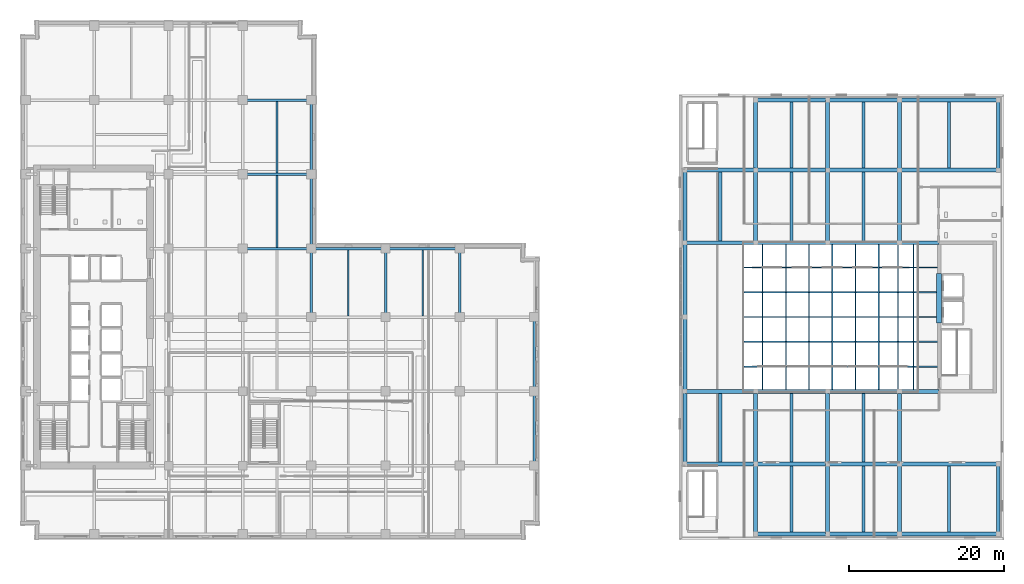
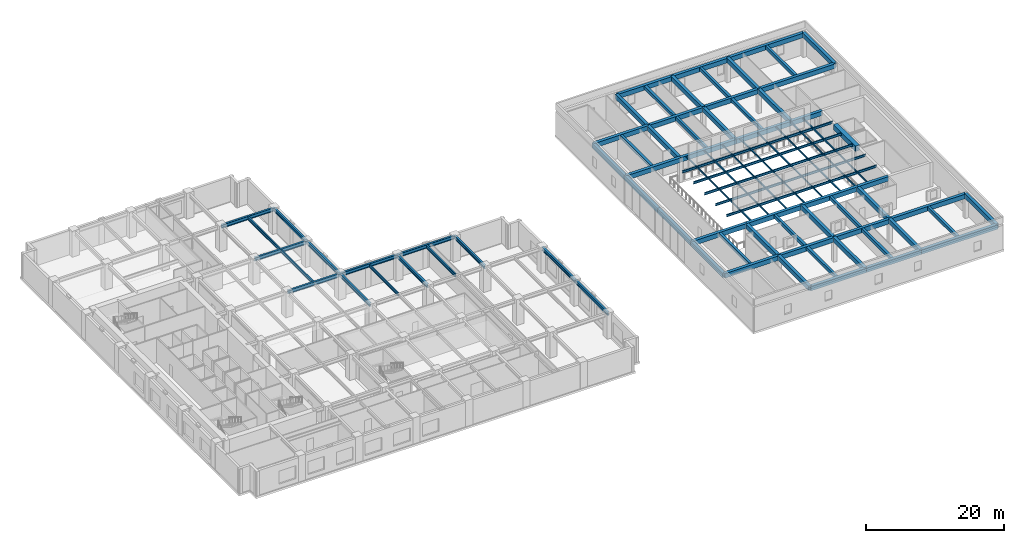
# One storey, part 3 of 21: 74 beams, 8 members.
"""IFC4 building model written with IfcOpenShell, lengths in metres."""

import ifcopenshell
import ifcopenshell.guid

model = None  # the IFC model being written
_history = None  # IfcOwnerHistory: only IFC2X3 demands one
_inside = {}  # id of a spatial element -> (the spatial element, [elements in it])
_under = {}  # id of a project, library or spatial element -> (it, [spatial elements below it])
_declared = {}  # id of a project -> (the project, [libraries it declares])
_typed = {}  # id of a type object -> (the type object, [elements of that type])
_made_of = {}  # id of a material, layer set ... -> (it, [elements and type objects made of it])


def new_model(schema):
    """Start an empty IFC model of exactly this schema.

    Asked for "IFC4X3", IfcOpenShell would pick the latest addendum, in which some entities
    have other attributes; the version numbers below select the first issue.
    IFC2X3 requires an IfcOwnerHistory on every rooted entity: one is made here for all.
    """
    global model, _history
    if schema == "IFC4X3":
        model = ifcopenshell.file(schema_version=(4, 3, 0, 0))
    else:
        model = ifcopenshell.file(schema=schema)
    _inside.clear()
    _under.clear()
    _declared.clear()
    _typed.clear()
    _made_of.clear()
    _history = None
    if model.schema == "IFC2X3":
        org = make("IfcOrganization", Name="unknown")
        user = make(
            "IfcPersonAndOrganization",
            ThePerson=make("IfcPerson", FamilyName="unknown"),
            TheOrganization=org,
        )
        app = make(
            "IfcApplication",
            ApplicationDeveloper=org,
            Version="unknown",
            ApplicationFullName="unknown",
            ApplicationIdentifier="unknown",
        )
        _history = make(
            "IfcOwnerHistory",
            OwningUser=user,
            OwningApplication=app,
            ChangeAction="ADDED",
            CreationDate=0,
        )
    return model


def make(cls, **values):
    """One entity of the class cls with the attributes given. An attribute that is None is left unset."""
    return model.create_entity(
        cls, **{name: value for name, value in values.items() if value is not None}
    )


def rooted(cls, **values):
    """An entity with a GlobalId (a new one), such as an element, a storey or a relation."""
    return make(cls, GlobalId=ifcopenshell.guid.new(), OwnerHistory=_history, **values)


def si_unit(unit_type, name, prefix=None):
    """IfcSIUnit, for example si_unit("LENGTHUNIT", "METRE", prefix="MILLI")."""
    return make("IfcSIUnit", UnitType=unit_type, Prefix=prefix, Name=name)


def assignment(units):
    """IfcUnitAssignment: the units of a project."""
    return None if units is None else make("IfcUnitAssignment", Units=units)


def point(xyz):
    """IfcCartesianPoint."""
    return None if xyz is None else make("IfcCartesianPoint", Coordinates=xyz)


def direction(xyz):
    """IfcDirection."""
    return None if xyz is None else make("IfcDirection", DirectionRatios=xyz)


def frame(location, z_axis=None, x_axis=None):
    """IfcAxis2Placement3D, a coordinate frame: its origin and axes. An axis left out is left unset."""
    return make(
        "IfcAxis2Placement3D",
        Location=point(location),
        Axis=direction(z_axis),
        RefDirection=direction(x_axis),
    )


def frame_2d(location, x_axis=None):
    """IfcAxis2Placement2D, a coordinate frame in the plane: its origin and x axis."""
    return make(
        "IfcAxis2Placement2D", Location=point(location), RefDirection=direction(x_axis)
    )


def origin():
    """The frame at (0, 0, 0) with its axes left unset."""
    return frame((0.0, 0.0, 0.0))


def origin_2d():
    """The frame at (0, 0) in the plane with its x axis left unset."""
    return frame_2d((0.0, 0.0))


def place(relative_to, where):
    """IfcLocalPlacement: puts the frame where relative to a parent placement (None: the world)."""
    return make(
        "IfcLocalPlacement", PlacementRelTo=relative_to, RelativePlacement=where
    )


def context(
    kind, dimensions, precision=None, world=None, true_north=None, identifier=None
):
    """IfcGeometricRepresentationContext, for example the 3D "Model" context."""
    return make(
        "IfcGeometricRepresentationContext",
        ContextIdentifier=identifier,
        ContextType=kind,
        CoordinateSpaceDimension=dimensions,
        Precision=precision,
        WorldCoordinateSystem=world,
        TrueNorth=true_north,
    )


def subcontext(parent, identifier, kind, view, scale=None):
    """IfcGeometricRepresentationSubContext, for example "Body" below "Model"."""
    return make(
        "IfcGeometricRepresentationSubContext",
        ContextIdentifier=identifier,
        ContextType=kind,
        ParentContext=parent,
        TargetScale=scale,
        TargetView=view,
    )


def project(units=None, contexts=None):
    """IfcProject with its units and contexts."""
    return rooted(
        "IfcProject",
        Name="project",
        RepresentationContexts=contexts,
        UnitsInContext=assignment(units),
    )


def spatial(cls, under=None, at=None, **own):
    """A site, building, storey or space (cls), placed at a placement, below another one or the project."""
    s = rooted(cls, ObjectPlacement=at, **own)
    if under is not None:
        _under.setdefault(under.id(), (under, []))[1].append(s)
    return s


def profile(cls, at=None, kind="AREA", **sizes):
    """A parametric profile (cls). Its sizes go by their IFC names, for example OverallWidth=200.0."""
    return make(cls, ProfileType=kind, Position=at, **sizes)


def rectangle(**sizes):
    """IfcRectangleProfileDef."""
    return profile("IfcRectangleProfileDef", **sizes)


def hollow_rectangle(**sizes):
    """IfcRectangleHollowProfileDef."""
    return profile("IfcRectangleHollowProfileDef", **sizes)


def i_section(**sizes):
    """IfcIShapeProfileDef."""
    return profile("IfcIShapeProfileDef", **sizes)


def extrude(swept, where, along, depth):
    """IfcExtrudedAreaSolid: the profile swept, set in the frame where, extruded along a direction by depth."""
    return make(
        "IfcExtrudedAreaSolid",
        SweptArea=swept,
        Position=where,
        ExtrudedDirection=direction(along),
        Depth=depth,
    )


def shape(context_of_items, identifier, shape_type, items):
    """IfcShapeRepresentation: the items that make up one representation, for example the "Body"."""
    return make(
        "IfcShapeRepresentation",
        ContextOfItems=context_of_items,
        RepresentationIdentifier=identifier,
        RepresentationType=shape_type,
        Items=items,
    )


def material(Name=None, Category=None):
    """IfcMaterial."""
    return make("IfcMaterial", Name=Name, Category=Category)


def material_profile(
    of_material, cross_section, Name=None, Category=None, Priority=None
):
    """IfcMaterialProfile: a cross section and its material."""
    return make(
        "IfcMaterialProfile",
        Name=Name,
        Material=of_material,
        Profile=cross_section,
        Priority=Priority,
        Category=Category,
    )


def profile_set(profiles, Name=None, composite=None):
    """IfcMaterialProfileSet."""
    return make(
        "IfcMaterialProfileSet",
        Name=Name,
        MaterialProfiles=profiles,
        CompositeProfile=composite,
    )


def made_of(thing, what):
    """Note that an element or type object is made of a material, layer set ...; save() writes the relation."""
    if what is not None:
        _made_of.setdefault(what.id(), (what, []))[1].append(thing)
    return thing


def type_object(cls, material=None, **own):
    """A type object (cls), such as IfcWallType, which elements share."""
    return made_of(rooted(cls, **own), material)


def element(
    cls,
    number,
    at=None,
    inside=None,
    cuts=None,
    type_object=None,
    material=None,
    context=None,
    identifier="Body",
    shape_type=None,
    held_by="IfcProductDefinitionShape",
    body=None,
    shapes=None,
    **own,
):
    """One element of the class cls, such as IfcWall. Its Tag is "e" and its number.

    at: its placement. inside: the storey or other place that contains it. cuts: it is an
    opening in that element (IfcRelVoidsElement). A single representation is given by context,
    identifier, shape_type and body (its items); several are given by shapes. held_by: the class
    of the entity that holds the representations. save() writes the other relations.
    """
    e = rooted(cls, Tag="e%d" % number, ObjectPlacement=at, **own)
    if body is not None:
        shapes = [shape(context, identifier, shape_type, body)]
    if shapes is not None:
        e.Representation = make(held_by, Representations=shapes)
    if inside is not None:
        _inside.setdefault(inside.id(), (inside, []))[1].append(e)
    if cuts is not None:
        rooted(
            "IfcRelVoidsElement", RelatingBuildingElement=cuts, RelatedOpeningElement=e
        )
    if type_object is not None:
        _typed.setdefault(type_object.id(), (type_object, []))[1].append(e)
    return made_of(e, material)


def aggregate(whole, parts):
    """IfcRelAggregates: a whole, such as a stair, and the parts it consists of."""
    return rooted("IfcRelAggregates", RelatingObject=whole, RelatedObjects=parts)


def save(model, path):
    """Write the relations noted so far, then the file.

    IfcRelAggregates (storeys below a building ...), IfcRelContainedInSpatialStructure (elements
    in a storey), IfcRelDefinesByType, IfcRelAssociatesMaterial and IfcRelDeclares: one each for
    every whole, place, type object, material and project.
    """
    for whole, parts in _under.values():
        aggregate(whole, parts)
    for where, things in _inside.values():
        rooted(
            "IfcRelContainedInSpatialStructure",
            RelatedElements=things,
            RelatingStructure=where,
        )
    for kind, things in _typed.values():
        rooted("IfcRelDefinesByType", RelatedObjects=things, RelatingType=kind)
    for what, things in _made_of.values():
        rooted("IfcRelAssociatesMaterial", RelatedObjects=things, RelatingMaterial=what)
    for by, libraries in _declared.values():
        rooted("IfcRelDeclares", RelatingContext=by, RelatedDefinitions=libraries)
    model.write(path)


model = new_model("IFC4")

# Units and contexts
model_context = context("Model", 3, precision=1e-05, world=origin(), true_north=direction((0.0, 1.0)))
body_context = subcontext(model_context, "Body", "Model", "MODEL_VIEW")
ifc_project = project(units=[si_unit("LENGTHUNIT", "METRE"), si_unit("AREAUNIT", "SQUARE_METRE"), si_unit("VOLUMEUNIT", "CUBIC_METRE"), si_unit("PLANEANGLEUNIT", "RADIAN"), si_unit("MASSUNIT", "GRAM", prefix="KILO")], contexts=[model_context])

# Site, building, storey
site_placement = place(None, origin())
site = spatial("IfcSite", under=ifc_project, at=site_placement, CompositionType="ELEMENT")
building_placement = place(site_placement, origin())
building = spatial("IfcBuilding", under=site, at=building_placement, Name="Norrvale University Quadrangle", CompositionType="ELEMENT")
storey_placement = place(building_placement, frame((0.0, 0.0, 19.60009765625)))
storey = spatial("IfcBuildingStorey", under=building, at=storey_placement, Name="L04", CompositionType="ELEMENT", Elevation=19.60009765625)

# Beams
ifc_material_1 = material(Name="Steel 350W", Category="steel")
ifc_material_profile_1 = material_profile(ifc_material_1, i_section(OverallWidth=0.324951171875, OverallDepth=0.615966796875, WebThickness=0.013916015625, FlangeThickness=0.021484375, FilletRadius=0.01611328125, at=origin_2d()), Name="Steel 350W")
ifc_profile_set_1 = profile_set([ifc_material_profile_1], Name="Steel 350W")
beam_type_1 = type_object("IfcBeamType", Name="Beam Belt W610x174", PredefinedType="BEAM", material=ifc_profile_set_1)
beam_1_placement = place(storey_placement, frame((28.800048828125, 37.64990234375, 4.031982421875), z_axis=(1.0, 0.0, 0.0), x_axis=(0.0, 1.0, 0.0)))
element("IfcBeam", 1, at=beam_1_placement, inside=storey, type_object=beam_type_1, Name="Beam Belt W610x174 BM-L04-GX022", PredefinedType="BEAM", context=body_context, shape_type="SweptSolid", body=[
    extrude(i_section(OverallWidth=0.324951171875, OverallDepth=0.615966796875, WebThickness=0.013916015625, FlangeThickness=0.021484375, FilletRadius=0.01611328125, at=origin_2d()), origin(), (0.0, 0.0, 1.0), 8.849853515625),
])
for number, where, z_axis, x_axis, name in (
    (2, (37.64990234375, 37.64990234375, 4.031982421875), (1.0, 0.0, 0.0), (0.0, 1.0, 0.0), "Beam Belt W610x174 BM-L04-GX023"),
    (3, (47.25, 37.64990234375, 4.031982421875), (1.0, 0.0, 0.0), (0.0, 1.0, 0.0), "Beam Belt W610x174 BM-L04-GX024"),
):
    element("IfcBeam", number, at=place(storey_placement, frame(where, z_axis=z_axis, x_axis=x_axis)), inside=storey, type_object=beam_type_1, Name=name, PredefinedType="BEAM", context=body_context, shape_type="SweptSolid", body=[
        extrude(i_section(OverallWidth=0.324951171875, OverallDepth=0.615966796875, WebThickness=0.013916015625, FlangeThickness=0.021484375, FilletRadius=0.01611328125, at=origin_2d()), origin(), (0.0, 0.0, 1.0), 9.60009765625),
    ])
for number, where, z_axis, x_axis, name in (
    (4, (28.800048828125, 47.25, 4.031982421875), (1.0, 0.0, 0.0), (0.0, 1.0, 0.0), "Beam Belt W610x174 BM-L04-GX026"),
    (5, (28.800048828125, 56.85009765625, 4.031982421875), (1.0, 0.0, 0.0), (0.0, 1.0, 0.0), "Beam Belt W610x174 BM-L04-GX030"),
    (6, (37.64990234375, 28.800048828125, 4.031982421875), (0.0, 1.0, 0.0), (-1.0, 0.0, 0.0), "Beam Belt W610x174 BM-L04-GY056"),
):
    element("IfcBeam", number, at=place(storey_placement, frame(where, z_axis=z_axis, x_axis=x_axis)), inside=storey, type_object=beam_type_1, Name=name, PredefinedType="BEAM", context=body_context, shape_type="SweptSolid", body=[
        extrude(i_section(OverallWidth=0.324951171875, OverallDepth=0.615966796875, WebThickness=0.013916015625, FlangeThickness=0.021484375, FilletRadius=0.01611328125, at=origin_2d()), origin(), (0.0, 0.0, 1.0), 8.849853515625),
    ])
for number, where, z_axis, x_axis, name in (
    (7, (37.64990234375, 37.64990234375, 4.031982421875), (0.0, 1.0, 0.0), (-1.0, 0.0, 0.0), "Beam Belt W610x174 BM-L04-GY057"),
    (8, (37.64990234375, 47.25, 4.031982421875), (0.0, 1.0, 0.0), (-1.0, 0.0, 0.0), "Beam Belt W610x174 BM-L04-GY058"),
):
    element("IfcBeam", number, at=place(storey_placement, frame(where, z_axis=z_axis, x_axis=x_axis)), inside=storey, type_object=beam_type_1, Name=name, PredefinedType="BEAM", context=body_context, shape_type="SweptSolid", body=[
        extrude(i_section(OverallWidth=0.324951171875, OverallDepth=0.615966796875, WebThickness=0.013916015625, FlangeThickness=0.021484375, FilletRadius=0.01611328125, at=origin_2d()), origin(), (0.0, 0.0, 1.0), 9.60009765625),
    ])
for number, where, z_axis, x_axis, name in (
    (9, (47.25, 28.800048828125, 4.031982421875), (0.0, 1.0, 0.0), (-1.0, 0.0, 0.0), "Beam Belt W610x174 BM-L04-GY062"),
    (10, (56.85009765625, 28.800048828125, 4.031982421875), (0.0, 1.0, 0.0), (-1.0, 0.0, 0.0), "Beam Belt W610x174 BM-L04-GY066"),
):
    element("IfcBeam", number, at=place(storey_placement, frame(where, z_axis=z_axis, x_axis=x_axis)), inside=storey, type_object=beam_type_1, Name=name, PredefinedType="BEAM", context=body_context, shape_type="SweptSolid", body=[
        extrude(i_section(OverallWidth=0.324951171875, OverallDepth=0.615966796875, WebThickness=0.013916015625, FlangeThickness=0.021484375, FilletRadius=0.01611328125, at=origin_2d()), origin(), (0.0, 0.0, 1.0), 8.849853515625),
    ])
beam_2_placement = place(storey_placement, frame((66.449951171875, 9.60009765625, 4.031982421875), z_axis=(0.0, 1.0, 0.0), x_axis=(-1.0, 0.0, 0.0)))
element("IfcBeam", 11, at=beam_2_placement, inside=storey, type_object=beam_type_1, Name="Beam Belt W610x174 BM-L04-GY067", PredefinedType="BEAM", context=body_context, shape_type="SweptSolid", body=[
    extrude(i_section(OverallWidth=0.324951171875, OverallDepth=0.615966796875, WebThickness=0.013916015625, FlangeThickness=0.021484375, FilletRadius=0.01611328125, at=origin_2d()), origin(), (0.0, 0.0, 1.0), 9.599853515625),
])
beam_3_placement = place(storey_placement, frame((66.449951171875, 19.199951171875, 4.031982421875), z_axis=(0.0, 1.0, 0.0), x_axis=(-1.0, 0.0, 0.0)))
element("IfcBeam", 12, at=beam_3_placement, inside=storey, type_object=beam_type_1, Name="Beam Belt W610x174 BM-L04-GY068", PredefinedType="BEAM", context=body_context, shape_type="SweptSolid", body=[
    extrude(i_section(OverallWidth=0.324951171875, OverallDepth=0.615966796875, WebThickness=0.013916015625, FlangeThickness=0.021484375, FilletRadius=0.01611328125, at=origin_2d()), origin(), (0.0, 0.0, 1.0), 9.60009765625),
])
ifc_material_2 = material(Name="Concrete C80/95", Category="concrete")
ifc_material_profile_2 = material_profile(ifc_material_2, rectangle(XDim=0.699951171875, YDim=0.949951171875, at=origin_2d()), Name="Concrete C80/95")
ifc_profile_set_2 = profile_set([ifc_material_profile_2], Name="Concrete C80/95")
beam_type_2 = type_object("IfcBeamType", Name="Beam Core Link 700x950", PredefinedType="LINTEL", material=ifc_profile_set_2)
beam_4_placement = place(storey_placement, frame((118.800048828125, 28.0, 3.844970703125), z_axis=(0.0, 1.0, 0.0), x_axis=(-1.0, 0.0, 0.0)))
element("IfcBeam", 13, at=beam_4_placement, inside=storey, type_object=beam_type_2, Name="Library Core Coupling Lintel L04", PredefinedType="LINTEL", context=body_context, shape_type="SweptSolid", body=[
    extrude(rectangle(XDim=0.699951171875, YDim=0.949951171875, at=origin_2d()), origin(), (0.0, 0.0, 1.0), 6.39990234375),
])
ifc_material_profile_3 = material_profile(ifc_material_1, i_section(OverallWidth=0.2119140625, OverallDepth=0.5439453125, WebThickness=0.01318359375, FlangeThickness=0.021240234375, FilletRadius=0.013916015625, at=origin_2d()), Name="Steel 350W")
ifc_profile_set_3 = profile_set([ifc_material_profile_3], Name="Steel 350W")
beam_type_3 = type_object("IfcBeamType", Name="Beam Floor W530x123", PredefinedType="BEAM", material=ifc_profile_set_3)
for number, where, z_axis, x_axis, name in (
    (14, (33.22509765625, 37.8125, 4.06787109375), (0.0, 1.0, 0.0), (-1.0, 0.0, 0.0), "Beam Floor W530x123 BM-L04-J090"),
    (15, (33.22509765625, 47.41259765625, 4.06787109375), (0.0, 1.0, 0.0), (-1.0, 0.0, 0.0), "Beam Floor W530x123 BM-L04-J091"),
):
    element("IfcBeam", number, at=place(storey_placement, frame(where, z_axis=z_axis, x_axis=x_axis)), inside=storey, type_object=beam_type_3, Name=name, PredefinedType="BEAM", context=body_context, shape_type="SweptSolid", body=[
        extrude(i_section(OverallWidth=0.2119140625, OverallDepth=0.5439453125, WebThickness=0.01318359375, FlangeThickness=0.021240234375, FilletRadius=0.013916015625, at=origin_2d()), origin(), (0.0, 0.0, 1.0), 9.27490234375),
    ])
for number, where, z_axis, x_axis, name in (
    (16, (42.449951171875, 28.96240234375, 4.06787109375), (0.0, 1.0, 0.0), (-1.0, 0.0, 0.0), "Beam Floor W530x123 BM-L04-J095"),
    (17, (52.050048828125, 28.96240234375, 4.06787109375), (0.0, 1.0, 0.0), (-1.0, 0.0, 0.0), "Beam Floor W530x123 BM-L04-J099"),
):
    element("IfcBeam", number, at=place(storey_placement, frame(where, z_axis=z_axis, x_axis=x_axis)), inside=storey, type_object=beam_type_3, Name=name, PredefinedType="BEAM", context=body_context, shape_type="SweptSolid", body=[
        extrude(i_section(OverallWidth=0.2119140625, OverallDepth=0.5439453125, WebThickness=0.01318359375, FlangeThickness=0.021240234375, FilletRadius=0.013916015625, at=origin_2d()), origin(), (0.0, 0.0, 1.0), 8.525146484375),
    ])
ifc_material_3 = material(Name="Concrete C60/75", Category="concrete")
ifc_material_profile_4 = material_profile(ifc_material_3, rectangle(XDim=0.39990234375, YDim=0.60009765625, at=origin_2d()), Name="Concrete C60/75")
ifc_profile_set_4 = profile_set([ifc_material_profile_4], Name="Concrete C60/75")
beam_type_4 = type_object("IfcBeamType", Name="Beam Lib 400x600", PredefinedType="JOIST", material=ifc_profile_set_4)
beam_5_placement = place(storey_placement, frame((90.52490234375, 10.050048828125, 4.02001953125), z_axis=(0.0, 1.0, 0.0), x_axis=(-1.0, 0.0, 0.0)))
element("IfcBeam", 18, at=beam_5_placement, inside=storey, type_object=beam_type_4, Name="Beam Lib 400x600 BM-L04-LJ039", PredefinedType="JOIST", context=body_context, shape_type="SweptSolid", body=[
    extrude(rectangle(XDim=0.39990234375, YDim=0.60009765625, at=origin_2d()), origin(), (0.0, 0.0, 1.0), 8.89990234375),
])
beam_6_placement = place(storey_placement, frame((90.52490234375, 38.64990234375, 4.02001953125), z_axis=(0.0, 1.0, 0.0), x_axis=(-1.0, 0.0, 0.0)))
element("IfcBeam", 19, at=beam_6_placement, inside=storey, type_object=beam_type_4, Name="Beam Lib 400x600 BM-L04-LJ040", PredefinedType="JOIST", context=body_context, shape_type="SweptSolid", body=[
    extrude(rectangle(XDim=0.39990234375, YDim=0.60009765625, at=origin_2d()), origin(), (0.0, 0.0, 1.0), 8.900146484375),
])
beam_7_placement = place(storey_placement, frame((99.75, 1.0, 4.02001953125), z_axis=(0.0, 1.0, 0.0), x_axis=(-1.0, 0.0, 0.0)))
element("IfcBeam", 20, at=beam_7_placement, inside=storey, type_object=beam_type_4, Name="Beam Lib 400x600 BM-L04-LJ041", PredefinedType="JOIST", context=body_context, shape_type="SweptSolid", body=[
    extrude(rectangle(XDim=0.39990234375, YDim=0.60009765625, at=origin_2d()), origin(), (0.0, 0.0, 1.0), 8.550048828125),
])
beam_8_placement = place(storey_placement, frame((99.75, 10.050048828125, 4.02001953125), z_axis=(0.0, 1.0, 0.0), x_axis=(-1.0, 0.0, 0.0)))
element("IfcBeam", 21, at=beam_8_placement, inside=storey, type_object=beam_type_4, Name="Beam Lib 400x600 BM-L04-LJ042", PredefinedType="JOIST", context=body_context, shape_type="SweptSolid", body=[
    extrude(rectangle(XDim=0.39990234375, YDim=0.60009765625, at=origin_2d()), origin(), (0.0, 0.0, 1.0), 8.89990234375),
])
beam_9_placement = place(storey_placement, frame((99.75, 38.64990234375, 4.02001953125), z_axis=(0.0, 1.0, 0.0), x_axis=(-1.0, 0.0, 0.0)))
element("IfcBeam", 22, at=beam_9_placement, inside=storey, type_object=beam_type_4, Name="Beam Lib 400x600 BM-L04-LJ043", PredefinedType="JOIST", context=body_context, shape_type="SweptSolid", body=[
    extrude(rectangle(XDim=0.39990234375, YDim=0.60009765625, at=origin_2d()), origin(), (0.0, 0.0, 1.0), 8.900146484375),
])
for number, where, z_axis, x_axis, name in (
    (23, (99.75, 48.050048828125, 4.02001953125), (0.0, 1.0, 0.0), (-1.0, 0.0, 0.0), "Beam Lib 400x600 BM-L04-LJ044"),
    (24, (109.050048828125, 1.0, 4.02001953125), (0.0, 1.0, 0.0), (-1.0, 0.0, 0.0), "Beam Lib 400x600 BM-L04-LJ045"),
):
    element("IfcBeam", number, at=place(storey_placement, frame(where, z_axis=z_axis, x_axis=x_axis)), inside=storey, type_object=beam_type_4, Name=name, PredefinedType="JOIST", context=body_context, shape_type="SweptSolid", body=[
        extrude(rectangle(XDim=0.39990234375, YDim=0.60009765625, at=origin_2d()), origin(), (0.0, 0.0, 1.0), 8.550048828125),
    ])
beam_10_placement = place(storey_placement, frame((109.050048828125, 10.050048828125, 4.02001953125), z_axis=(0.0, 1.0, 0.0), x_axis=(-1.0, 0.0, 0.0)))
element("IfcBeam", 25, at=beam_10_placement, inside=storey, type_object=beam_type_4, Name="Beam Lib 400x600 BM-L04-LJ046", PredefinedType="JOIST", context=body_context, shape_type="SweptSolid", body=[
    extrude(rectangle(XDim=0.39990234375, YDim=0.60009765625, at=origin_2d()), origin(), (0.0, 0.0, 1.0), 8.89990234375),
])
beam_11_placement = place(storey_placement, frame((109.050048828125, 38.64990234375, 4.02001953125), z_axis=(0.0, 1.0, 0.0), x_axis=(-1.0, 0.0, 0.0)))
element("IfcBeam", 26, at=beam_11_placement, inside=storey, type_object=beam_type_4, Name="Beam Lib 400x600 BM-L04-LJ047", PredefinedType="JOIST", context=body_context, shape_type="SweptSolid", body=[
    extrude(rectangle(XDim=0.39990234375, YDim=0.60009765625, at=origin_2d()), origin(), (0.0, 0.0, 1.0), 8.900146484375),
])
for number, where, z_axis, x_axis, name in (
    (27, (109.050048828125, 48.050048828125, 4.02001953125), (0.0, 1.0, 0.0), (-1.0, 0.0, 0.0), "Beam Lib 400x600 BM-L04-LJ048"),
    (28, (120.074951171875, 1.0, 4.02001953125), (0.0, 1.0, 0.0), (-1.0, 0.0, 0.0), "Beam Lib 400x600 BM-L04-LJ049"),
    (29, (120.074951171875, 48.050048828125, 4.02001953125), (0.0, 1.0, 0.0), (-1.0, 0.0, 0.0), "Beam Lib 400x600 BM-L04-LJ050"),
):
    element("IfcBeam", number, at=place(storey_placement, frame(where, z_axis=z_axis, x_axis=x_axis)), inside=storey, type_object=beam_type_4, Name=name, PredefinedType="JOIST", context=body_context, shape_type="SweptSolid", body=[
        extrude(rectangle(XDim=0.39990234375, YDim=0.60009765625, at=origin_2d()), origin(), (0.0, 0.0, 1.0), 8.550048828125),
    ])
ifc_material_profile_5 = material_profile(ifc_material_3, rectangle(XDim=0.5, YDim=0.800048828125, at=origin_2d()), Name="Concrete C60/75")
ifc_profile_set_5 = profile_set([ifc_material_profile_5], Name="Concrete C60/75")
beam_type_5 = type_object("IfcBeamType", Name="Beam Lib 500x800", PredefinedType="BEAM", material=ifc_profile_set_5)
beam_12_placement = place(storey_placement, frame((95.10009765625, 0.75, 3.919921875), z_axis=(1.0, 0.0, 0.0), x_axis=(0.0, 1.0, 0.0)))
element("IfcBeam", 30, at=beam_12_placement, inside=storey, type_object=beam_type_5, Name="Beam Lib 500x800 BM-L04-LGX001", PredefinedType="BEAM", context=body_context, shape_type="SweptSolid", body=[
    extrude(rectangle(XDim=0.5, YDim=0.800048828125, at=origin_2d()), origin(), (0.0, 0.0, 1.0), 9.2998046875),
])
beam_13_placement = place(storey_placement, frame((104.39990234375, 0.75, 3.919921875), z_axis=(1.0, 0.0, 0.0), x_axis=(0.0, 1.0, 0.0)))
element("IfcBeam", 31, at=beam_13_placement, inside=storey, type_object=beam_type_5, Name="Beam Lib 500x800 BM-L04-LGX002", PredefinedType="BEAM", context=body_context, shape_type="SweptSolid", body=[
    extrude(rectangle(XDim=0.5, YDim=0.800048828125, at=origin_2d()), origin(), (0.0, 0.0, 1.0), 9.300048828125),
])
beam_14_placement = place(storey_placement, frame((113.699951171875, 0.75, 3.919921875), z_axis=(1.0, 0.0, 0.0), x_axis=(0.0, 1.0, 0.0)))
element("IfcBeam", 32, at=beam_14_placement, inside=storey, type_object=beam_type_5, Name="Beam Lib 500x800 BM-L04-LGX003", PredefinedType="BEAM", context=body_context, shape_type="SweptSolid", body=[
    extrude(rectangle(XDim=0.5, YDim=0.800048828125, at=origin_2d()), origin(), (0.0, 0.0, 1.0), 12.75),
])
beam_15_placement = place(storey_placement, frame((85.949951171875, 9.800048828125, 3.919921875), z_axis=(1.0, 0.0, 0.0), x_axis=(0.0, 1.0, 0.0)))
element("IfcBeam", 33, at=beam_15_placement, inside=storey, type_object=beam_type_5, Name="Beam Lib 500x800 BM-L04-LGX004", PredefinedType="BEAM", context=body_context, shape_type="SweptSolid", body=[
    extrude(rectangle(XDim=0.5, YDim=0.800048828125, at=origin_2d()), origin(), (0.0, 0.0, 1.0), 9.150146484375),
])
beam_16_placement = place(storey_placement, frame((95.10009765625, 9.800048828125, 3.919921875), z_axis=(1.0, 0.0, 0.0), x_axis=(0.0, 1.0, 0.0)))
element("IfcBeam", 34, at=beam_16_placement, inside=storey, type_object=beam_type_5, Name="Beam Lib 500x800 BM-L04-LGX005", PredefinedType="BEAM", context=body_context, shape_type="SweptSolid", body=[
    extrude(rectangle(XDim=0.5, YDim=0.800048828125, at=origin_2d()), origin(), (0.0, 0.0, 1.0), 9.2998046875),
])
beam_17_placement = place(storey_placement, frame((104.39990234375, 9.800048828125, 3.919921875), z_axis=(1.0, 0.0, 0.0), x_axis=(0.0, 1.0, 0.0)))
element("IfcBeam", 35, at=beam_17_placement, inside=storey, type_object=beam_type_5, Name="Beam Lib 500x800 BM-L04-LGX006", PredefinedType="BEAM", context=body_context, shape_type="SweptSolid", body=[
    extrude(rectangle(XDim=0.5, YDim=0.800048828125, at=origin_2d()), origin(), (0.0, 0.0, 1.0), 9.300048828125),
])
beam_18_placement = place(storey_placement, frame((113.699951171875, 9.800048828125, 3.919921875), z_axis=(1.0, 0.0, 0.0), x_axis=(0.0, 1.0, 0.0)))
element("IfcBeam", 36, at=beam_18_placement, inside=storey, type_object=beam_type_5, Name="Beam Lib 500x800 BM-L04-LGX007", PredefinedType="BEAM", context=body_context, shape_type="SweptSolid", body=[
    extrude(rectangle(XDim=0.5, YDim=0.800048828125, at=origin_2d()), origin(), (0.0, 0.0, 1.0), 12.75),
])
beam_19_placement = place(storey_placement, frame((85.949951171875, 19.199951171875, 3.919921875), z_axis=(1.0, 0.0, 0.0), x_axis=(0.0, 1.0, 0.0)))
element("IfcBeam", 37, at=beam_19_placement, inside=storey, type_object=beam_type_5, Name="Beam Lib 500x800 BM-L04-LGX008", PredefinedType="BEAM", context=body_context, shape_type="SweptSolid", body=[
    extrude(rectangle(XDim=0.5, YDim=0.800048828125, at=origin_2d()), origin(), (0.0, 0.0, 1.0), 9.150146484375),
])
beam_20_placement = place(storey_placement, frame((95.10009765625, 19.199951171875, 3.919921875), z_axis=(1.0, 0.0, 0.0), x_axis=(0.0, 1.0, 0.0)))
element("IfcBeam", 38, at=beam_20_placement, inside=storey, type_object=beam_type_5, Name="Beam Lib 500x800 BM-L04-LGX009", PredefinedType="BEAM", context=body_context, shape_type="SweptSolid", body=[
    extrude(rectangle(XDim=0.5, YDim=0.800048828125, at=origin_2d()), origin(), (0.0, 0.0, 1.0), 9.2998046875),
])
beam_21_placement = place(storey_placement, frame((104.39990234375, 19.199951171875, 3.919921875), z_axis=(1.0, 0.0, 0.0), x_axis=(0.0, 1.0, 0.0)))
element("IfcBeam", 39, at=beam_21_placement, inside=storey, type_object=beam_type_5, Name="Beam Lib 500x800 BM-L04-LGX010", PredefinedType="BEAM", context=body_context, shape_type="SweptSolid", body=[
    extrude(rectangle(XDim=0.5, YDim=0.800048828125, at=origin_2d()), origin(), (0.0, 0.0, 1.0), 9.300048828125),
])
beam_22_placement = place(storey_placement, frame((85.949951171875, 38.39990234375, 3.919921875), z_axis=(1.0, 0.0, 0.0), x_axis=(0.0, 1.0, 0.0)))
element("IfcBeam", 40, at=beam_22_placement, inside=storey, type_object=beam_type_5, Name="Beam Lib 500x800 BM-L04-LGX011", PredefinedType="BEAM", context=body_context, shape_type="SweptSolid", body=[
    extrude(rectangle(XDim=0.5, YDim=0.800048828125, at=origin_2d()), origin(), (0.0, 0.0, 1.0), 9.150146484375),
])
beam_23_placement = place(storey_placement, frame((95.10009765625, 38.39990234375, 3.919921875), z_axis=(1.0, 0.0, 0.0), x_axis=(0.0, 1.0, 0.0)))
element("IfcBeam", 41, at=beam_23_placement, inside=storey, type_object=beam_type_5, Name="Beam Lib 500x800 BM-L04-LGX012", PredefinedType="BEAM", context=body_context, shape_type="SweptSolid", body=[
    extrude(rectangle(XDim=0.5, YDim=0.800048828125, at=origin_2d()), origin(), (0.0, 0.0, 1.0), 9.2998046875),
])
beam_24_placement = place(storey_placement, frame((104.39990234375, 38.39990234375, 3.919921875), z_axis=(1.0, 0.0, 0.0), x_axis=(0.0, 1.0, 0.0)))
element("IfcBeam", 42, at=beam_24_placement, inside=storey, type_object=beam_type_5, Name="Beam Lib 500x800 BM-L04-LGX013", PredefinedType="BEAM", context=body_context, shape_type="SweptSolid", body=[
    extrude(rectangle(XDim=0.5, YDim=0.800048828125, at=origin_2d()), origin(), (0.0, 0.0, 1.0), 9.300048828125),
])
beam_25_placement = place(storey_placement, frame((85.949951171875, 47.800048828125, 3.919921875), z_axis=(1.0, 0.0, 0.0), x_axis=(0.0, 1.0, 0.0)))
element("IfcBeam", 43, at=beam_25_placement, inside=storey, type_object=beam_type_5, Name="Beam Lib 500x800 BM-L04-LGX014", PredefinedType="BEAM", context=body_context, shape_type="SweptSolid", body=[
    extrude(rectangle(XDim=0.5, YDim=0.800048828125, at=origin_2d()), origin(), (0.0, 0.0, 1.0), 9.150146484375),
])
beam_26_placement = place(storey_placement, frame((95.10009765625, 47.800048828125, 3.919921875), z_axis=(1.0, 0.0, 0.0), x_axis=(0.0, 1.0, 0.0)))
element("IfcBeam", 44, at=beam_26_placement, inside=storey, type_object=beam_type_5, Name="Beam Lib 500x800 BM-L04-LGX015", PredefinedType="BEAM", context=body_context, shape_type="SweptSolid", body=[
    extrude(rectangle(XDim=0.5, YDim=0.800048828125, at=origin_2d()), origin(), (0.0, 0.0, 1.0), 9.2998046875),
])
beam_27_placement = place(storey_placement, frame((104.39990234375, 47.800048828125, 3.919921875), z_axis=(1.0, 0.0, 0.0), x_axis=(0.0, 1.0, 0.0)))
element("IfcBeam", 45, at=beam_27_placement, inside=storey, type_object=beam_type_5, Name="Beam Lib 500x800 BM-L04-LGX016", PredefinedType="BEAM", context=body_context, shape_type="SweptSolid", body=[
    extrude(rectangle(XDim=0.5, YDim=0.800048828125, at=origin_2d()), origin(), (0.0, 0.0, 1.0), 9.300048828125),
])
beam_28_placement = place(storey_placement, frame((113.699951171875, 47.800048828125, 3.919921875), z_axis=(1.0, 0.0, 0.0), x_axis=(0.0, 1.0, 0.0)))
element("IfcBeam", 46, at=beam_28_placement, inside=storey, type_object=beam_type_5, Name="Beam Lib 500x800 BM-L04-LGX017", PredefinedType="BEAM", context=body_context, shape_type="SweptSolid", body=[
    extrude(rectangle(XDim=0.5, YDim=0.800048828125, at=origin_2d()), origin(), (0.0, 0.0, 1.0), 12.75),
])
beam_29_placement = place(storey_placement, frame((95.10009765625, 56.85009765625, 3.919921875), z_axis=(1.0, 0.0, 0.0), x_axis=(0.0, 1.0, 0.0)))
element("IfcBeam", 47, at=beam_29_placement, inside=storey, type_object=beam_type_5, Name="Beam Lib 500x800 BM-L04-LGX018", PredefinedType="BEAM", context=body_context, shape_type="SweptSolid", body=[
    extrude(rectangle(XDim=0.5, YDim=0.800048828125, at=origin_2d()), origin(), (0.0, 0.0, 1.0), 9.2998046875),
])
beam_30_placement = place(storey_placement, frame((104.39990234375, 56.85009765625, 3.919921875), z_axis=(1.0, 0.0, 0.0), x_axis=(0.0, 1.0, 0.0)))
element("IfcBeam", 48, at=beam_30_placement, inside=storey, type_object=beam_type_5, Name="Beam Lib 500x800 BM-L04-LGX019", PredefinedType="BEAM", context=body_context, shape_type="SweptSolid", body=[
    extrude(rectangle(XDim=0.5, YDim=0.800048828125, at=origin_2d()), origin(), (0.0, 0.0, 1.0), 9.300048828125),
])
beam_31_placement = place(storey_placement, frame((113.699951171875, 56.85009765625, 3.919921875), z_axis=(1.0, 0.0, 0.0), x_axis=(0.0, 1.0, 0.0)))
element("IfcBeam", 49, at=beam_31_placement, inside=storey, type_object=beam_type_5, Name="Beam Lib 500x800 BM-L04-LGX020", PredefinedType="BEAM", context=body_context, shape_type="SweptSolid", body=[
    extrude(rectangle(XDim=0.5, YDim=0.800048828125, at=origin_2d()), origin(), (0.0, 0.0, 1.0), 12.75),
])
beam_32_placement = place(storey_placement, frame((85.949951171875, 9.800048828125, 3.919921875), z_axis=(0.0, 1.0, 0.0), x_axis=(-1.0, 0.0, 0.0)))
element("IfcBeam", 50, at=beam_32_placement, inside=storey, type_object=beam_type_5, Name="Beam Lib 500x800 BM-L04-LGY021", PredefinedType="BEAM", context=body_context, shape_type="SweptSolid", body=[
    extrude(rectangle(XDim=0.5, YDim=0.800048828125, at=origin_2d()), origin(), (0.0, 0.0, 1.0), 9.39990234375),
])
beam_33_placement = place(storey_placement, frame((85.949951171875, 19.199951171875, 3.919921875), z_axis=(0.0, 1.0, 0.0), x_axis=(-1.0, 0.0, 0.0)))
element("IfcBeam", 51, at=beam_33_placement, inside=storey, type_object=beam_type_5, Name="Beam Lib 500x800 BM-L04-LGY022", PredefinedType="BEAM", context=body_context, shape_type="SweptSolid", body=[
    extrude(rectangle(XDim=0.5, YDim=0.800048828125, at=origin_2d()), origin(), (0.0, 0.0, 1.0), 9.60009765625),
])
beam_34_placement = place(storey_placement, frame((85.949951171875, 28.800048828125, 3.919921875), z_axis=(0.0, 1.0, 0.0), x_axis=(-1.0, 0.0, 0.0)))
element("IfcBeam", 52, at=beam_34_placement, inside=storey, type_object=beam_type_5, Name="Beam Lib 500x800 BM-L04-LGY023", PredefinedType="BEAM", context=body_context, shape_type="SweptSolid", body=[
    extrude(rectangle(XDim=0.5, YDim=0.800048828125, at=origin_2d()), origin(), (0.0, 0.0, 1.0), 9.599853515625),
])
beam_35_placement = place(storey_placement, frame((85.949951171875, 38.39990234375, 3.919921875), z_axis=(0.0, 1.0, 0.0), x_axis=(-1.0, 0.0, 0.0)))
element("IfcBeam", 53, at=beam_35_placement, inside=storey, type_object=beam_type_5, Name="Beam Lib 500x800 BM-L04-LGY024", PredefinedType="BEAM", context=body_context, shape_type="SweptSolid", body=[
    extrude(rectangle(XDim=0.5, YDim=0.800048828125, at=origin_2d()), origin(), (0.0, 0.0, 1.0), 9.400146484375),
])
beam_36_placement = place(storey_placement, frame((95.10009765625, 0.75, 3.919921875), z_axis=(0.0, 1.0, 0.0), x_axis=(-1.0, 0.0, 0.0)))
element("IfcBeam", 54, at=beam_36_placement, inside=storey, type_object=beam_type_5, Name="Beam Lib 500x800 BM-L04-LGY025", PredefinedType="BEAM", context=body_context, shape_type="SweptSolid", body=[
    extrude(rectangle(XDim=0.5, YDim=0.800048828125, at=origin_2d()), origin(), (0.0, 0.0, 1.0), 9.050048828125),
])
beam_37_placement = place(storey_placement, frame((95.10009765625, 9.800048828125, 3.919921875), z_axis=(0.0, 1.0, 0.0), x_axis=(-1.0, 0.0, 0.0)))
element("IfcBeam", 55, at=beam_37_placement, inside=storey, type_object=beam_type_5, Name="Beam Lib 500x800 BM-L04-LGY026", PredefinedType="BEAM", context=body_context, shape_type="SweptSolid", body=[
    extrude(rectangle(XDim=0.5, YDim=0.800048828125, at=origin_2d()), origin(), (0.0, 0.0, 1.0), 9.39990234375),
])
beam_38_placement = place(storey_placement, frame((95.10009765625, 38.39990234375, 3.919921875), z_axis=(0.0, 1.0, 0.0), x_axis=(-1.0, 0.0, 0.0)))
element("IfcBeam", 56, at=beam_38_placement, inside=storey, type_object=beam_type_5, Name="Beam Lib 500x800 BM-L04-LGY027", PredefinedType="BEAM", context=body_context, shape_type="SweptSolid", body=[
    extrude(rectangle(XDim=0.5, YDim=0.800048828125, at=origin_2d()), origin(), (0.0, 0.0, 1.0), 9.400146484375),
])
for number, where, z_axis, x_axis, name in (
    (57, (95.10009765625, 47.800048828125, 3.919921875), (0.0, 1.0, 0.0), (-1.0, 0.0, 0.0), "Beam Lib 500x800 BM-L04-LGY028"),
    (58, (104.39990234375, 0.75, 3.919921875), (0.0, 1.0, 0.0), (-1.0, 0.0, 0.0), "Beam Lib 500x800 BM-L04-LGY029"),
):
    element("IfcBeam", number, at=place(storey_placement, frame(where, z_axis=z_axis, x_axis=x_axis)), inside=storey, type_object=beam_type_5, Name=name, PredefinedType="BEAM", context=body_context, shape_type="SweptSolid", body=[
        extrude(rectangle(XDim=0.5, YDim=0.800048828125, at=origin_2d()), origin(), (0.0, 0.0, 1.0), 9.050048828125),
    ])
beam_39_placement = place(storey_placement, frame((104.39990234375, 9.800048828125, 3.919921875), z_axis=(0.0, 1.0, 0.0), x_axis=(-1.0, 0.0, 0.0)))
element("IfcBeam", 59, at=beam_39_placement, inside=storey, type_object=beam_type_5, Name="Beam Lib 500x800 BM-L04-LGY030", PredefinedType="BEAM", context=body_context, shape_type="SweptSolid", body=[
    extrude(rectangle(XDim=0.5, YDim=0.800048828125, at=origin_2d()), origin(), (0.0, 0.0, 1.0), 9.39990234375),
])
beam_40_placement = place(storey_placement, frame((104.39990234375, 38.39990234375, 3.919921875), z_axis=(0.0, 1.0, 0.0), x_axis=(-1.0, 0.0, 0.0)))
element("IfcBeam", 60, at=beam_40_placement, inside=storey, type_object=beam_type_5, Name="Beam Lib 500x800 BM-L04-LGY031", PredefinedType="BEAM", context=body_context, shape_type="SweptSolid", body=[
    extrude(rectangle(XDim=0.5, YDim=0.800048828125, at=origin_2d()), origin(), (0.0, 0.0, 1.0), 9.400146484375),
])
for number, where, z_axis, x_axis, name in (
    (61, (104.39990234375, 47.800048828125, 3.919921875), (0.0, 1.0, 0.0), (-1.0, 0.0, 0.0), "Beam Lib 500x800 BM-L04-LGY032"),
    (62, (113.699951171875, 0.75, 3.919921875), (0.0, 1.0, 0.0), (-1.0, 0.0, 0.0), "Beam Lib 500x800 BM-L04-LGY033"),
):
    element("IfcBeam", number, at=place(storey_placement, frame(where, z_axis=z_axis, x_axis=x_axis)), inside=storey, type_object=beam_type_5, Name=name, PredefinedType="BEAM", context=body_context, shape_type="SweptSolid", body=[
        extrude(rectangle(XDim=0.5, YDim=0.800048828125, at=origin_2d()), origin(), (0.0, 0.0, 1.0), 9.050048828125),
    ])
beam_41_placement = place(storey_placement, frame((113.699951171875, 9.800048828125, 3.919921875), z_axis=(0.0, 1.0, 0.0), x_axis=(-1.0, 0.0, 0.0)))
element("IfcBeam", 63, at=beam_41_placement, inside=storey, type_object=beam_type_5, Name="Beam Lib 500x800 BM-L04-LGY034", PredefinedType="BEAM", context=body_context, shape_type="SweptSolid", body=[
    extrude(rectangle(XDim=0.5, YDim=0.800048828125, at=origin_2d()), origin(), (0.0, 0.0, 1.0), 9.39990234375),
])
beam_42_placement = place(storey_placement, frame((113.699951171875, 38.39990234375, 3.919921875), z_axis=(0.0, 1.0, 0.0), x_axis=(-1.0, 0.0, 0.0)))
element("IfcBeam", 64, at=beam_42_placement, inside=storey, type_object=beam_type_5, Name="Beam Lib 500x800 BM-L04-LGY035", PredefinedType="BEAM", context=body_context, shape_type="SweptSolid", body=[
    extrude(rectangle(XDim=0.5, YDim=0.800048828125, at=origin_2d()), origin(), (0.0, 0.0, 1.0), 9.400146484375),
])
for number, where, z_axis, x_axis, name in (
    (65, (113.699951171875, 47.800048828125, 3.919921875), (0.0, 1.0, 0.0), (-1.0, 0.0, 0.0), "Beam Lib 500x800 BM-L04-LGY036"),
    (66, (126.449951171875, 0.75, 3.919921875), (0.0, 1.0, 0.0), (-1.0, 0.0, 0.0), "Beam Lib 500x800 BM-L04-LGY037"),
    (67, (126.449951171875, 47.800048828125, 3.919921875), (0.0, 1.0, 0.0), (-1.0, 0.0, 0.0), "Beam Lib 500x800 BM-L04-LGY038"),
):
    element("IfcBeam", number, at=place(storey_placement, frame(where, z_axis=z_axis, x_axis=x_axis)), inside=storey, type_object=beam_type_5, Name=name, PredefinedType="BEAM", context=body_context, shape_type="SweptSolid", body=[
        extrude(rectangle(XDim=0.5, YDim=0.800048828125, at=origin_2d()), origin(), (0.0, 0.0, 1.0), 9.050048828125),
    ])
for number, where, z_axis, x_axis, name in (
    (68, (113.699951171875, 19.199951171875, 3.919921875), (1.0, 0.0, 0.0), (0.0, 1.0, 0.0), "Beam Lib 500x800 BM-L04-LCTIE051"),
    (69, (113.699951171875, 38.39990234375, 3.919921875), (1.0, 0.0, 0.0), (0.0, 1.0, 0.0), "Beam Lib 500x800 BM-L04-LCTIE052"),
):
    element("IfcBeam", number, at=place(storey_placement, frame(where, z_axis=z_axis, x_axis=x_axis)), inside=storey, type_object=beam_type_5, Name=name, PredefinedType="BEAM", context=body_context, shape_type="SweptSolid", body=[
        extrude(rectangle(XDim=0.5, YDim=0.800048828125, at=origin_2d()), origin(), (0.0, 0.0, 1.0), 5.10009765625),
    ])
ifc_material_profile_6 = material_profile(ifc_material_1, i_section(OverallWidth=0.177978515625, OverallDepth=0.406982421875, WebThickness=0.0078125, FlangeThickness=0.0126953125, FilletRadius=0.011962890625, at=origin_2d()), Name="Steel 350W")
ifc_profile_set_6 = profile_set([ifc_material_profile_6], Name="Steel 350W")
beam_type_6 = type_object("IfcBeamType", Name="Beam Roof Purlin W410x60", PredefinedType="USERDEFINED", material=ifc_profile_set_6)
for number, where, z_axis, x_axis, name in (
    (70, (93.60009765625, 22.39990234375, 4.116455078125), (1.0, 0.0, 0.0), (0.0, 1.0, 0.0), "Library Skylight Purlin 01"),
    (71, (93.60009765625, 25.60009765625, 4.116455078125), (1.0, 0.0, 0.0), (0.0, 1.0, 0.0), "Library Skylight Purlin 02"),
    (72, (93.60009765625, 28.800048828125, 4.116455078125), (1.0, 0.0, 0.0), (0.0, 1.0, 0.0), "Library Skylight Purlin 03"),
    (73, (93.60009765625, 32.0, 4.116455078125), (1.0, 0.0, 0.0), (0.0, 1.0, 0.0), "Library Skylight Purlin 04"),
    (74, (93.60009765625, 35.199951171875, 4.116455078125), (1.0, 0.0, 0.0), (0.0, 1.0, 0.0), "Library Skylight Purlin 05"),
):
    element("IfcBeam", number, at=place(storey_placement, frame(where, z_axis=z_axis, x_axis=x_axis)), inside=storey, type_object=beam_type_6, Name=name, ObjectType="PURLIN", PredefinedType="USERDEFINED", context=body_context, shape_type="SweptSolid", body=[
        extrude(i_section(OverallWidth=0.177978515625, OverallDepth=0.406982421875, WebThickness=0.0078125, FlangeThickness=0.0126953125, FilletRadius=0.011962890625, at=origin_2d()), origin(), (0.0, 0.0, 1.0), 25.199951171875),
    ])

# Members
ifc_material_profile_7 = material_profile(ifc_material_1, hollow_rectangle(XDim=0.152099609375, YDim=0.25390625, WallThickness=0.010009765625, at=origin_2d()), Name="Steel 350W")
ifc_profile_set_7 = profile_set([ifc_material_profile_7], Name="Steel 350W")
member_type = type_object("IfcMemberType", Name="Member Rafter HSS254x152", PredefinedType="RAFTER", material=ifc_profile_set_7)
for number, where, z_axis, x_axis, name in (
    (75, (96.0, 19.199951171875, 4.18994140625), (0.0, 1.0, 0.0), (-1.0, 0.0, 0.0), "Library Skylight Rafter 01"),
    (76, (99.0, 19.199951171875, 4.18994140625), (0.0, 1.0, 0.0), (-1.0, 0.0, 0.0), "Library Skylight Rafter 02"),
    (77, (102.0, 19.199951171875, 4.18994140625), (0.0, 1.0, 0.0), (-1.0, 0.0, 0.0), "Library Skylight Rafter 03"),
    (78, (105.0, 19.199951171875, 4.18994140625), (0.0, 1.0, 0.0), (-1.0, 0.0, 0.0), "Library Skylight Rafter 04"),
    (79, (108.0, 19.199951171875, 4.18994140625), (0.0, 1.0, 0.0), (-1.0, 0.0, 0.0), "Library Skylight Rafter 05"),
    (80, (111.0, 19.199951171875, 4.18994140625), (0.0, 1.0, 0.0), (-1.0, 0.0, 0.0), "Library Skylight Rafter 06"),
    (81, (113.5, 19.199951171875, 4.18994140625), (0.0, 1.0, 0.0), (-1.0, 0.0, 0.0), "Library Skylight Rafter 07"),
    (82, (115.5, 19.199951171875, 4.18994140625), (0.0, 1.0, 0.0), (-1.0, 0.0, 0.0), "Library Skylight Rafter 08"),
):
    element("IfcMember", number, at=place(storey_placement, frame(where, z_axis=z_axis, x_axis=x_axis)), inside=storey, type_object=member_type, Name=name, PredefinedType="RAFTER", context=body_context, shape_type="SweptSolid", body=[
        extrude(hollow_rectangle(XDim=0.152099609375, YDim=0.25390625, WallThickness=0.010009765625, at=origin_2d()), origin(), (0.0, 0.0, 1.0), 19.199951171875),
    ])

save(model, "model.ifc")
